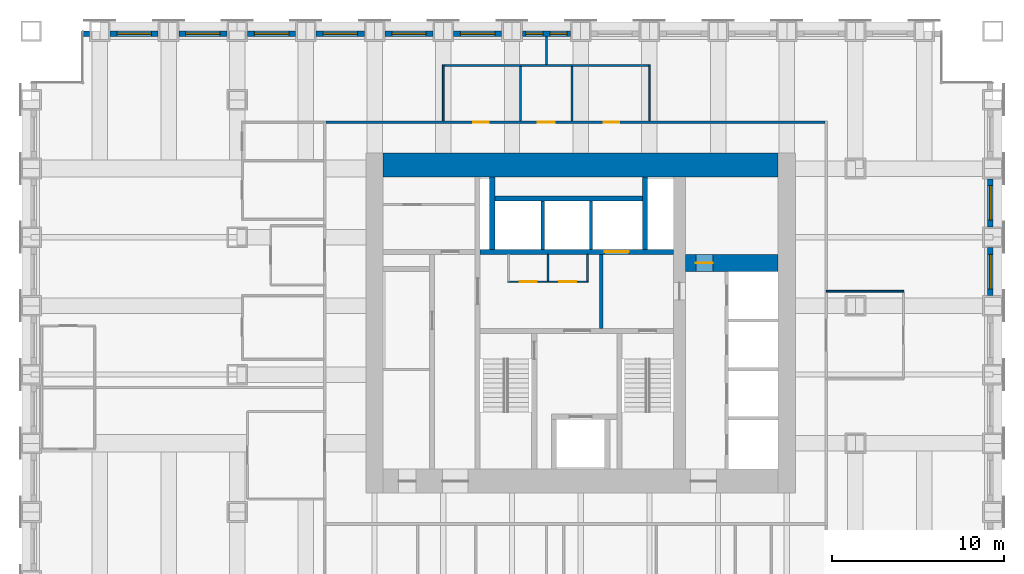
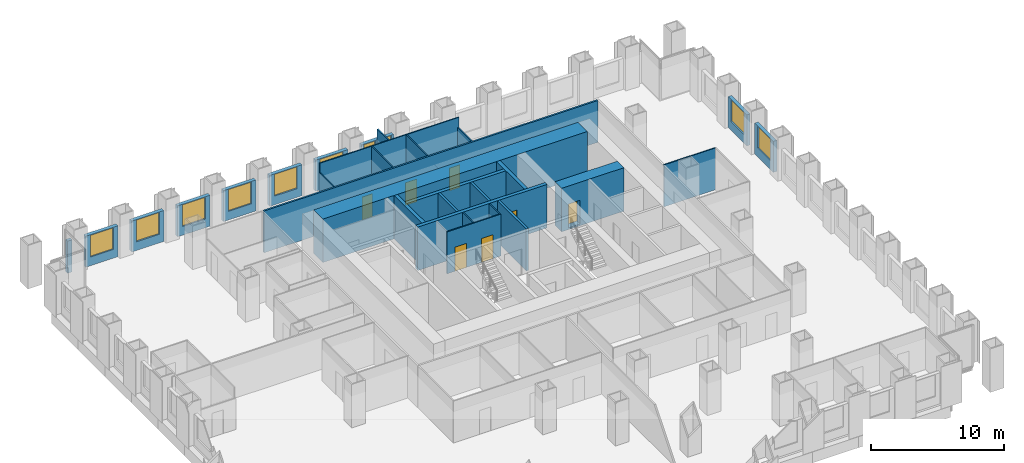
# One storey, part 12 of 15: 30 walls, 10 windows, 7 doors, 17 openings.
"""IFC4 building model written with IfcOpenShell, lengths in metres."""

from ifc_helpers import new_model, si_unit, direction, frame, frame_2d, origin, place, context, subcontext, project, spatial, rectangle, extrude, material, layer, layer_set, type_object, element, fill, save


model = new_model("IFC4")

# Units and contexts
model_context = context("Model", 3, precision=1e-05, world=origin(), true_north=direction((0.0, 1.0)))
body_context = subcontext(model_context, "Body", "Model", "MODEL_VIEW")
ifc_project = project(units=[si_unit("LENGTHUNIT", "METRE"), si_unit("AREAUNIT", "SQUARE_METRE"), si_unit("VOLUMEUNIT", "CUBIC_METRE"), si_unit("PLANEANGLEUNIT", "RADIAN"), si_unit("MASSUNIT", "GRAM", prefix="KILO")], contexts=[model_context])

# Site, building, storey
site_placement = place(None, origin())
site = spatial("IfcSite", under=ifc_project, at=site_placement, CompositionType="ELEMENT")
building_placement = place(site_placement, origin())
building = spatial("IfcBuilding", under=site, at=building_placement, Name="Rimbunsela Tower", CompositionType="ELEMENT")
storey_placement = place(building_placement, frame((0.0, 0.0, 27.0)))
storey = spatial("IfcBuildingStorey", under=building, at=storey_placement, Name="L06", CompositionType="ELEMENT", Elevation=27.0)

# Wall, opening, door
ifc_material_1 = material(Name="Concrete fc' 80 MPa", Category="concrete")
ifc_layer_1 = layer(ifc_material_1, 0.300048828125)
ifc_layer_set_1 = layer_set([ifc_layer_1], Name="Core internal wall 300")
wall_type_1 = type_object("IfcWallType", Name="Core internal wall 300", PredefinedType="SHEAR", material=ifc_layer_set_1)
wall_1_placement = place(storey_placement, frame((24.14990234375, 31.14990234375, -0.14990234375), z_axis=(0.0, 0.0, 1.0), x_axis=(1.0, 0.0, 0.0)))
wall_1 = element("IfcWall", 1, at=wall_1_placement, inside=storey, type_object=wall_type_1, Name="Lift shaft front north", PredefinedType="SHEAR", context=body_context, shape_type="SweptSolid", body=[
    extrude(rectangle(XDim=11.25, YDim=0.300048828125, at=frame_2d((5.625, 0.0))), origin(), (0.0, 0.0, 1.0), 4.0),
])
opening_1_placement = place(wall_1_placement, frame((7.25, 0.0, 0.14990234375)))
opening_1 = element("IfcOpeningElement", 2, at=opening_1_placement, cuts=wall_1, Name="Opening LD3", PredefinedType="OPENING", context=body_context, shape_type="SweptSolid", body=[
    extrude(rectangle(XDim=1.39990234375, YDim=2.39990234375, at=frame_2d((0.699951171875, 1.199951171875))), frame((0.0, 0.159912109375, 0.0), z_axis=(0.0, -1.0, 0.0), x_axis=(1.0, 0.0, 0.0)), (0.0, 0.0, 1.0), 0.320068359375),
])
ifc_material_2 = material(Name="Steel door, fire rated", Category="steel")
door_type_1 = type_object("IfcDoorType", Name="Lift landing door 1400", OperationType="DOUBLE_DOOR_SLIDING", PredefinedType="DOOR", material=ifc_material_2)
door_1_placement = place(opening_1_placement, origin())
door_1 = element("IfcDoor", 3, at=door_1_placement, inside=storey, type_object=door_type_1, Name="Lift landing door FL2", OperationType="DOUBLE_DOOR_SLIDING", OverallHeight=2.39990234375, OverallWidth=1.39990234375, PredefinedType="DOOR", context=body_context, shape_type="SweptSolid", body=[
    extrude(rectangle(XDim=1.39990234375, YDim=2.39990234375, at=frame_2d((0.699951171875, 1.199951171875))), frame((0.0, 0.02490234375, 0.0), z_axis=(0.0, -1.0, 0.0), x_axis=(1.0, 0.0, 0.0)), (0.0, 0.0, 1.0), 0.050048828125),
])
fill(opening_1, door_1)

# Walls
for number, where, z_axis, x_axis, name in (
    (4, (24.85009765625, 31.300048828125, -0.14990234375), (0.0, 0.0, 1.0), (0.0, 1.0, 0.0), "Riser wall"),
    (5, (33.75, 31.300048828125, -0.14990234375), (0.0, 0.0, 1.0), (0.0, 1.0, 0.0), "Riser wall"),
):
    element("IfcWall", number, at=place(storey_placement, frame(where, z_axis=z_axis, x_axis=x_axis)), inside=storey, type_object=wall_type_1, Name=name, PredefinedType="SHEAR", context=body_context, shape_type="SweptSolid", body=[
        extrude(rectangle(XDim=4.199951171875, YDim=0.300048828125, at=frame_2d((2.10009765625, 0.0))), origin(), (0.0, 0.0, 1.0), 4.0),
    ])
wall_2_placement = place(storey_placement, frame((25.0, 34.25, -0.14990234375), z_axis=(0.0, 0.0, 1.0), x_axis=(1.0, 0.0, 0.0)))
element("IfcWall", 6, at=wall_2_placement, inside=storey, type_object=wall_type_1, Name="Lift shaft rear north", PredefinedType="SHEAR", context=body_context, shape_type="SweptSolid", body=[
    extrude(rectangle(XDim=8.60009765625, YDim=0.300048828125, at=frame_2d((4.300048828125, 0.0))), origin(), (0.0, 0.0, 1.0), 4.0),
])

# Wall, openings, doors
ifc_material_3 = material(Name="Concrete blockwork", Category="masonry")
ifc_layer_2 = layer(ifc_material_3, 0.10009765625)
ifc_layer_set_2 = layer_set([ifc_layer_2], Name="Core room partition 100")
wall_type_2 = type_object("IfcWallType", Name="Core room partition 100", PredefinedType="PARTITIONING", material=ifc_layer_set_2)
wall_3_placement = place(storey_placement, frame((25.75, 29.39990234375, 0.0), z_axis=(0.0, 0.0, 1.0), x_axis=(1.0, 0.0, 0.0)))
wall_3 = element("IfcWall", 7, at=wall_3_placement, inside=storey, type_object=wall_type_2, Name="Lobby room wall", PredefinedType="PARTITIONING", context=body_context, shape_type="SweptSolid", body=[
    extrude(rectangle(XDim=4.699951171875, YDim=0.10009765625, at=frame_2d((2.35009765625, 0.0))), origin(), (0.0, 0.0, 1.0), 3.85009765625),
])
opening_2_placement = place(wall_3_placement, frame((0.699951171875, 0.0, 0.0)))
opening_2 = element("IfcOpeningElement", 8, at=opening_2_placement, cuts=wall_3, Name="Opening D19", PredefinedType="OPENING", context=body_context, shape_type="SweptSolid", body=[
    extrude(rectangle(XDim=1.0, YDim=2.199951171875, at=frame_2d((0.5, 1.10009765625))), frame((0.0, 0.06005859375, 0.0), z_axis=(0.0, -1.0, 0.0), x_axis=(1.0, 0.0, 0.0)), (0.0, 0.0, 1.0), 0.1201171875),
])
opening_3_placement = place(wall_3_placement, frame((3.0, 0.0, 0.0)))
opening_3 = element("IfcOpeningElement", 9, at=opening_3_placement, cuts=wall_3, Name="Opening D19", PredefinedType="OPENING", context=body_context, shape_type="SweptSolid", body=[
    extrude(rectangle(XDim=1.0, YDim=2.199951171875, at=frame_2d((0.5, 1.10009765625))), frame((0.0, 0.06005859375, 0.0), z_axis=(0.0, -1.0, 0.0), x_axis=(1.0, 0.0, 0.0)), (0.0, 0.0, 1.0), 0.1201171875),
])
ifc_material_4 = material(Name="Steel door, fire rated", Category="steel")
door_type_2 = type_object("IfcDoorType", Name="Service door 1000 fire rated", OperationType="SINGLE_SWING_LEFT", PredefinedType="DOOR", material=ifc_material_4)
door_2_placement = place(opening_2_placement, origin())
door_2 = element("IfcDoor", 10, at=door_2_placement, inside=storey, type_object=door_type_2, Name="Facilities store door", OperationType="SINGLE_SWING_LEFT", OverallHeight=2.199951171875, OverallWidth=1.0, PredefinedType="DOOR", context=body_context, shape_type="SweptSolid", body=[
    extrude(rectangle(XDim=1.0, YDim=2.199951171875, at=frame_2d((0.5, 1.10009765625))), frame((0.0, 0.02490234375, 0.0), z_axis=(0.0, -1.0, 0.0), x_axis=(1.0, 0.0, 0.0)), (0.0, 0.0, 1.0), 0.050048828125),
])
fill(opening_2, door_2)
door_3_placement = place(opening_3_placement, origin())
door_3 = element("IfcDoor", 11, at=door_3_placement, inside=storey, type_object=door_type_2, Name="IT room door", OperationType="SINGLE_SWING_LEFT", OverallHeight=2.199951171875, OverallWidth=1.0, PredefinedType="DOOR", context=body_context, shape_type="SweptSolid", body=[
    extrude(rectangle(XDim=1.0, YDim=2.199951171875, at=frame_2d((0.5, 1.10009765625))), frame((0.0, 0.02490234375, 0.0), z_axis=(0.0, -1.0, 0.0), x_axis=(1.0, 0.0, 0.0)), (0.0, 0.0, 1.0), 0.050048828125),
])
fill(opening_3, door_3)

# Walls
for number, where, z_axis, x_axis, name in (
    (12, (30.39990234375, 29.449951171875, 0.0), (0.0, 0.0, 1.0), (0.0, 1.0, 0.0), "Lobby room wall"),
    (13, (28.10009765625, 29.449951171875, 0.0), (0.0, 0.0, 1.0), (0.0, 1.0, 0.0), "Lobby room wall"),
):
    element("IfcWall", number, at=place(storey_placement, frame(where, z_axis=z_axis, x_axis=x_axis)), inside=storey, type_object=wall_type_2, Name=name, PredefinedType="PARTITIONING", context=body_context, shape_type="SweptSolid", body=[
        extrude(rectangle(XDim=1.550048828125, YDim=0.10009765625, at=frame_2d((0.77490234375, 0.0))), origin(), (0.0, 0.0, 1.0), 3.85009765625),
    ])

# Wall, opening, door
ifc_material_5 = material(Name="Concrete fc' 80 MPa", Category="concrete")
ifc_layer_3 = layer(ifc_material_5, 1.0)
ifc_layer_set_3 = layer_set([ifc_layer_3], Name="Core wall 1000")
wall_type_3 = type_object("IfcWallType", Name="Core wall 1000", PredefinedType="SHEAR", material=ifc_layer_set_3)
wall_4_placement = place(storey_placement, frame((36.10009765625, 30.5, -0.14990234375), z_axis=(0.0, 0.0, 1.0), x_axis=(1.0, 0.0, 0.0)))
wall_4 = element("IfcWall", 14, at=wall_4_placement, inside=storey, type_object=wall_type_3, Name="Lift shaft rear east", PredefinedType="SHEAR", context=body_context, shape_type="SweptSolid", body=[
    extrude(rectangle(XDim=5.39990234375, YDim=1.0, at=frame_2d((2.699951171875, 0.0))), origin(), (0.0, 0.0, 1.0), 4.0),
])
opening_4_placement = place(wall_4_placement, frame((0.60009765625, 0.0, 0.14990234375)))
opening_4 = element("IfcOpeningElement", 15, at=opening_4_placement, cuts=wall_4, Name="Opening D19", PredefinedType="OPENING", context=body_context, shape_type="SweptSolid", body=[
    extrude(rectangle(XDim=1.0, YDim=2.199951171875, at=frame_2d((0.5, 1.10009765625))), frame((0.0, 0.510009765625, 0.0), z_axis=(0.0, -1.0, 0.0), x_axis=(1.0, 0.0, 0.0)), (0.0, 0.0, 1.0), 1.02001953125),
])
door_4_placement = place(opening_4_placement, origin())
door_4 = element("IfcDoor", 16, at=door_4_placement, inside=storey, type_object=door_type_2, Name="Communications room door", OperationType="SINGLE_SWING_LEFT", OverallHeight=2.199951171875, OverallWidth=1.0, PredefinedType="DOOR", context=body_context, shape_type="SweptSolid", body=[
    extrude(rectangle(XDim=1.0, YDim=2.199951171875, at=frame_2d((0.5, 1.10009765625))), frame((0.0, 0.02490234375, 0.0), z_axis=(0.0, -1.0, 0.0), x_axis=(1.0, 0.0, 0.0)), (0.0, 0.0, 1.0), 0.050048828125),
])
fill(opening_4, door_4)

# Walls
ifc_material_6 = material(Name="Concrete fc' 80 MPa", Category="concrete")
ifc_layer_4 = layer(ifc_material_6, 1.39990234375)
ifc_layer_set_4 = layer_set([ifc_layer_4], Name="Core wall 1400")
wall_type_4 = type_object("IfcWallType", Name="Core wall 1400", PredefinedType="SHEAR", material=ifc_layer_set_4)
wall_5_placement = place(storey_placement, frame((18.5, 36.199951171875, -0.14990234375), z_axis=(0.0, 0.0, 1.0), x_axis=(1.0, 0.0, 0.0)))
element("IfcWall", 17, at=wall_5_placement, inside=storey, type_object=wall_type_4, Name="Core wall north", PredefinedType="SHEAR", context=body_context, shape_type="SweptSolid", body=[
    extrude(rectangle(XDim=23.0, YDim=1.39990234375, at=frame_2d((11.5, 0.0))), origin(), (0.0, 0.0, 1.0), 4.0),
])
ifc_material_7 = material(Name="Concrete blockwork", Category="masonry")
ifc_layer_5 = layer(ifc_material_7, 0.199951171875)
ifc_layer_set_5 = layer_set([ifc_layer_5], Name="Lift shaft wall 200")
wall_type_5 = type_object("IfcWallType", Name="Lift shaft wall 200", PredefinedType="SOLIDWALL", material=ifc_layer_set_5)
for number, where, z_axis, x_axis, name in (
    (18, (27.800048828125, 31.300048828125, -0.14990234375), (0.0, 0.0, 1.0), (0.0, 1.0, 0.0), "Lift shaft separation"),
    (19, (30.60009765625, 31.300048828125, -0.14990234375), (0.0, 0.0, 1.0), (0.0, 1.0, 0.0), "Lift shaft separation"),
):
    element("IfcWall", number, at=place(storey_placement, frame(where, z_axis=z_axis, x_axis=x_axis)), inside=storey, type_object=wall_type_5, Name=name, PredefinedType="SOLIDWALL", context=body_context, shape_type="SweptSolid", body=[
        extrude(rectangle(XDim=2.800048828125, YDim=0.199951171875, at=frame_2d((1.39990234375, 0.0))), origin(), (0.0, 0.0, 1.0), 4.0),
    ])
wall_6_placement = place(storey_placement, frame((31.199951171875, 26.699951171875, 0.0), z_axis=(0.0, 0.0, 1.0), x_axis=(0.0, 1.0, 0.0)))
element("IfcWall", 20, at=wall_6_placement, inside=storey, type_object=wall_type_5, Name="Firefighting lobby 2 wall", PredefinedType="SOLIDWALL", context=body_context, shape_type="SweptSolid", body=[
    extrude(rectangle(XDim=4.300048828125, YDim=0.199951171875, at=frame_2d((2.14990234375, 0.0))), origin(), (0.0, 0.0, 1.0), 3.85009765625),
])
ifc_material_8 = material(Name="Gypsum board on steel studs", Category="steel")
ifc_layer_6 = layer(ifc_material_8, 0.10009765625)
ifc_layer_set_6 = layer_set([ifc_layer_6], Name="Office partition 100")
wall_type_6 = type_object("IfcWallType", Name="Office partition 100", PredefinedType="PARTITIONING", material=ifc_layer_set_6)
wall_7_placement = place(storey_placement, frame((48.800048828125, 28.85009765625, 0.0), z_axis=(0.0, 0.0, 1.0), x_axis=(-1.0, 0.0, 0.0)))
element("IfcWall", 21, at=wall_7_placement, inside=storey, type_object=wall_type_6, Name="Office partition", PredefinedType="PARTITIONING", context=body_context, shape_type="SweptSolid", body=[
    extrude(rectangle(XDim=4.5, YDim=0.10009765625, at=frame_2d((2.25, 0.0))), origin(), (0.0, 0.0, 1.0), 3.85009765625),
])

# Wall, opening, window
ifc_material_9 = material(Name="Precast concrete fc' 35 MPa", Category="concrete")
ifc_layer_7 = layer(ifc_material_9, 0.300048828125)
ifc_layer_set_7 = layer_set([ifc_layer_7], Name="Precast concrete fc' 35 MPa")
wall_type_7 = type_object("IfcWallType", Name="Precast facade panel 300", PredefinedType="ELEMENTEDWALL", material=ifc_layer_set_7)
wall_8_placement = place(storey_placement, frame((53.85009765625, 28.60009765625, 0.0), z_axis=(0.0, 0.0, 1.0), x_axis=(0.0, 1.0, 0.0)))
wall_8 = element("IfcWall", 22, at=wall_8_placement, inside=storey, type_object=wall_type_7, Name="Facade panel E L06", PredefinedType="ELEMENTEDWALL", context=body_context, shape_type="SweptSolid", body=[
    extrude(rectangle(XDim=2.7998046875, YDim=0.300048828125, at=frame_2d((1.39990234375, 0.0))), origin(), (0.0, 0.0, 1.0), 2.85009765625),
])
opening_5_placement = place(wall_8_placement, frame((0.39990234375, 0.0, 0.800048828125)))
opening_5 = element("IfcOpeningElement", 23, at=opening_5_placement, cuts=wall_8, Name="Opening W1", PredefinedType="OPENING", context=body_context, shape_type="SweptSolid", body=[
    extrude(rectangle(XDim=2.0, YDim=2.0, at=frame_2d((1.0, 1.0))), frame((0.0, 0.159912109375, 0.0), z_axis=(0.0, -1.0, 0.0), x_axis=(1.0, 0.0, 0.0)), (0.0, 0.0, 1.0), 0.320068359375),
])
ifc_material_10 = material(Name="Clear glass in aluminium frame", Category="aluminium")
window_type_1 = type_object("IfcWindowType", Name="Window W1 2000x2000", PartitioningType="DOUBLE_PANEL_VERTICAL", PredefinedType="WINDOW", material=ifc_material_10)
window_1_placement = place(opening_5_placement, origin())
window_1 = element("IfcWindow", 24, at=window_1_placement, inside=storey, type_object=window_type_1, Name="Window L06", OverallHeight=2.0, OverallWidth=2.0, PartitioningType="SINGLE_PANEL", PredefinedType="WINDOW", context=body_context, shape_type="SweptSolid", body=[
    extrude(rectangle(XDim=2.0, YDim=2.0, at=frame_2d((1.0, 1.0))), frame((0.0, 0.030029296875, 0.0), z_axis=(0.0, -1.0, 0.0), x_axis=(1.0, 0.0, 0.0)), (0.0, 0.0, 1.0), 0.06005859375),
])
fill(opening_5, window_1)

wall_9_placement = place(storey_placement, frame((53.85009765625, 32.60009765625, 0.0), z_axis=(0.0, 0.0, 1.0), x_axis=(0.0, 1.0, 0.0)))
wall_9 = element("IfcWall", 25, at=wall_9_placement, inside=storey, type_object=wall_type_7, Name="Facade panel E L06", PredefinedType="ELEMENTEDWALL", context=body_context, shape_type="SweptSolid", body=[
    extrude(rectangle(XDim=2.7998046875, YDim=0.300048828125, at=frame_2d((1.39990234375, 0.0))), origin(), (0.0, 0.0, 1.0), 2.85009765625),
])
opening_6_placement = place(wall_9_placement, frame((0.39990234375, 0.0, 0.800048828125)))
opening_6 = element("IfcOpeningElement", 26, at=opening_6_placement, cuts=wall_9, Name="Opening W1", PredefinedType="OPENING", context=body_context, shape_type="SweptSolid", body=[
    extrude(rectangle(XDim=2.0, YDim=2.0, at=frame_2d((1.0, 1.0))), frame((0.0, 0.159912109375, 0.0), z_axis=(0.0, -1.0, 0.0), x_axis=(1.0, 0.0, 0.0)), (0.0, 0.0, 1.0), 0.320068359375),
])
window_2_placement = place(opening_6_placement, origin())
window_2 = element("IfcWindow", 27, at=window_2_placement, inside=storey, type_object=window_type_1, Name="Window L06", OverallHeight=2.0, OverallWidth=2.0, PartitioningType="SINGLE_PANEL", PredefinedType="WINDOW", context=body_context, shape_type="SweptSolid", body=[
    extrude(rectangle(XDim=2.0, YDim=2.0, at=frame_2d((1.0, 1.0))), frame((0.0, 0.030029296875, 0.0), z_axis=(0.0, -1.0, 0.0), x_axis=(1.0, 0.0, 0.0)), (0.0, 0.0, 1.0), 0.06005859375),
])
fill(opening_6, window_2)

# Wall
wall_10_placement = place(storey_placement, frame((1.39990234375, 43.85009765625, 0.0), z_axis=(0.0, 0.0, 1.0), x_axis=(-1.0, 0.0, 0.0)))
element("IfcWall", 28, at=wall_10_placement, inside=storey, type_object=wall_type_7, Name="Facade panel N L06", PredefinedType="ELEMENTEDWALL", context=body_context, shape_type="SweptSolid", body=[
    extrude(rectangle(XDim=0.369873046875, YDim=0.300048828125, at=frame_2d((0.18505859375, 0.0))), origin(), (0.0, 0.0, 1.0), 2.949951171875),
])

# Wall, opening, window
wall_11_placement = place(storey_placement, frame((5.39990234375, 43.85009765625, 0.0), z_axis=(0.0, 0.0, 1.0), x_axis=(-1.0, 0.0, 0.0)))
wall_11 = element("IfcWall", 29, at=wall_11_placement, inside=storey, type_object=wall_type_7, Name="Facade panel N L06", PredefinedType="ELEMENTEDWALL", context=body_context, shape_type="SweptSolid", body=[
    extrude(rectangle(XDim=2.7998046875, YDim=0.300048828125, at=frame_2d((1.39990234375, 0.0))), origin(), (0.0, 0.0, 1.0), 2.85009765625),
])
opening_7_placement = place(wall_11_placement, frame((0.39990234375, 0.0, 0.800048828125)))
opening_7 = element("IfcOpeningElement", 30, at=opening_7_placement, cuts=wall_11, Name="Opening W1", PredefinedType="OPENING", context=body_context, shape_type="SweptSolid", body=[
    extrude(rectangle(XDim=2.0, YDim=2.0, at=frame_2d((1.0, 1.0))), frame((0.0, 0.159912109375, 0.0), z_axis=(0.0, -1.0, 0.0), x_axis=(1.0, 0.0, 0.0)), (0.0, 0.0, 1.0), 0.320068359375),
])
window_3_placement = place(opening_7_placement, origin())
window_3 = element("IfcWindow", 31, at=window_3_placement, inside=storey, type_object=window_type_1, Name="Window L06", OverallHeight=2.0, OverallWidth=2.0, PartitioningType="SINGLE_PANEL", PredefinedType="WINDOW", context=body_context, shape_type="SweptSolid", body=[
    extrude(rectangle(XDim=2.0, YDim=2.0, at=frame_2d((1.0, 1.0))), frame((0.0, 0.030029296875, 0.0), z_axis=(0.0, -1.0, 0.0), x_axis=(1.0, 0.0, 0.0)), (0.0, 0.0, 1.0), 0.06005859375),
])
fill(opening_7, window_3)

wall_12_placement = place(storey_placement, frame((9.39990234375, 43.85009765625, 0.0), z_axis=(0.0, 0.0, 1.0), x_axis=(-1.0, 0.0, 0.0)))
wall_12 = element("IfcWall", 32, at=wall_12_placement, inside=storey, type_object=wall_type_7, Name="Facade panel N L06", PredefinedType="ELEMENTEDWALL", context=body_context, shape_type="SweptSolid", body=[
    extrude(rectangle(XDim=2.7998046875, YDim=0.300048828125, at=frame_2d((1.39990234375, 0.0))), origin(), (0.0, 0.0, 1.0), 2.85009765625),
])
opening_8_placement = place(wall_12_placement, frame((0.39990234375, 0.0, 0.800048828125)))
opening_8 = element("IfcOpeningElement", 33, at=opening_8_placement, cuts=wall_12, Name="Opening W1", PredefinedType="OPENING", context=body_context, shape_type="SweptSolid", body=[
    extrude(rectangle(XDim=2.0, YDim=2.0, at=frame_2d((1.0, 1.0))), frame((0.0, 0.159912109375, 0.0), z_axis=(0.0, -1.0, 0.0), x_axis=(1.0, 0.0, 0.0)), (0.0, 0.0, 1.0), 0.320068359375),
])
window_4_placement = place(opening_8_placement, origin())
window_4 = element("IfcWindow", 34, at=window_4_placement, inside=storey, type_object=window_type_1, Name="Window L06", OverallHeight=2.0, OverallWidth=2.0, PartitioningType="SINGLE_PANEL", PredefinedType="WINDOW", context=body_context, shape_type="SweptSolid", body=[
    extrude(rectangle(XDim=2.0, YDim=2.0, at=frame_2d((1.0, 1.0))), frame((0.0, 0.030029296875, 0.0), z_axis=(0.0, -1.0, 0.0), x_axis=(1.0, 0.0, 0.0)), (0.0, 0.0, 1.0), 0.06005859375),
])
fill(opening_8, window_4)

wall_13_placement = place(storey_placement, frame((13.39990234375, 43.85009765625, 0.0), z_axis=(0.0, 0.0, 1.0), x_axis=(-1.0, 0.0, 0.0)))
wall_13 = element("IfcWall", 35, at=wall_13_placement, inside=storey, type_object=wall_type_7, Name="Facade panel N L06", PredefinedType="ELEMENTEDWALL", context=body_context, shape_type="SweptSolid", body=[
    extrude(rectangle(XDim=2.7998046875, YDim=0.300048828125, at=frame_2d((1.39990234375, 0.0))), origin(), (0.0, 0.0, 1.0), 2.85009765625),
])
opening_9_placement = place(wall_13_placement, frame((0.39990234375, 0.0, 0.800048828125)))
opening_9 = element("IfcOpeningElement", 36, at=opening_9_placement, cuts=wall_13, Name="Opening W1", PredefinedType="OPENING", context=body_context, shape_type="SweptSolid", body=[
    extrude(rectangle(XDim=2.0, YDim=2.0, at=frame_2d((1.0, 1.0))), frame((0.0, 0.159912109375, 0.0), z_axis=(0.0, -1.0, 0.0), x_axis=(1.0, 0.0, 0.0)), (0.0, 0.0, 1.0), 0.320068359375),
])
window_5_placement = place(opening_9_placement, origin())
window_5 = element("IfcWindow", 37, at=window_5_placement, inside=storey, type_object=window_type_1, Name="Window L06", OverallHeight=2.0, OverallWidth=2.0, PartitioningType="SINGLE_PANEL", PredefinedType="WINDOW", context=body_context, shape_type="SweptSolid", body=[
    extrude(rectangle(XDim=2.0, YDim=2.0, at=frame_2d((1.0, 1.0))), frame((0.0, 0.030029296875, 0.0), z_axis=(0.0, -1.0, 0.0), x_axis=(1.0, 0.0, 0.0)), (0.0, 0.0, 1.0), 0.06005859375),
])
fill(opening_9, window_5)

wall_14_placement = place(storey_placement, frame((17.39990234375, 43.85009765625, 0.0), z_axis=(0.0, 0.0, 1.0), x_axis=(-1.0, 0.0, 0.0)))
wall_14 = element("IfcWall", 38, at=wall_14_placement, inside=storey, type_object=wall_type_7, Name="Facade panel N L06", PredefinedType="ELEMENTEDWALL", context=body_context, shape_type="SweptSolid", body=[
    extrude(rectangle(XDim=2.7998046875, YDim=0.300048828125, at=frame_2d((1.39990234375, 0.0))), origin(), (0.0, 0.0, 1.0), 2.85009765625),
])
opening_10_placement = place(wall_14_placement, frame((0.39990234375, 0.0, 0.800048828125)))
opening_10 = element("IfcOpeningElement", 39, at=opening_10_placement, cuts=wall_14, Name="Opening W1", PredefinedType="OPENING", context=body_context, shape_type="SweptSolid", body=[
    extrude(rectangle(XDim=2.0, YDim=2.0, at=frame_2d((1.0, 1.0))), frame((0.0, 0.159912109375, 0.0), z_axis=(0.0, -1.0, 0.0), x_axis=(1.0, 0.0, 0.0)), (0.0, 0.0, 1.0), 0.320068359375),
])
window_6_placement = place(opening_10_placement, origin())
window_6 = element("IfcWindow", 40, at=window_6_placement, inside=storey, type_object=window_type_1, Name="Window L06", OverallHeight=2.0, OverallWidth=2.0, PartitioningType="SINGLE_PANEL", PredefinedType="WINDOW", context=body_context, shape_type="SweptSolid", body=[
    extrude(rectangle(XDim=2.0, YDim=2.0, at=frame_2d((1.0, 1.0))), frame((0.0, 0.030029296875, 0.0), z_axis=(0.0, -1.0, 0.0), x_axis=(1.0, 0.0, 0.0)), (0.0, 0.0, 1.0), 0.06005859375),
])
fill(opening_10, window_6)

wall_15_placement = place(storey_placement, frame((21.39990234375, 43.85009765625, 0.0), z_axis=(0.0, 0.0, 1.0), x_axis=(-1.0, 0.0, 0.0)))
wall_15 = element("IfcWall", 41, at=wall_15_placement, inside=storey, type_object=wall_type_7, Name="Facade panel N L06", PredefinedType="ELEMENTEDWALL", context=body_context, shape_type="SweptSolid", body=[
    extrude(rectangle(XDim=2.7998046875, YDim=0.300048828125, at=frame_2d((1.39990234375, 0.0))), origin(), (0.0, 0.0, 1.0), 2.85009765625),
])
opening_11_placement = place(wall_15_placement, frame((0.39990234375, 0.0, 0.800048828125)))
opening_11 = element("IfcOpeningElement", 42, at=opening_11_placement, cuts=wall_15, Name="Opening W1", PredefinedType="OPENING", context=body_context, shape_type="SweptSolid", body=[
    extrude(rectangle(XDim=2.0, YDim=2.0, at=frame_2d((1.0, 1.0))), frame((0.0, 0.159912109375, 0.0), z_axis=(0.0, -1.0, 0.0), x_axis=(1.0, 0.0, 0.0)), (0.0, 0.0, 1.0), 0.320068359375),
])
window_7_placement = place(opening_11_placement, origin())
window_7 = element("IfcWindow", 43, at=window_7_placement, inside=storey, type_object=window_type_1, Name="Window L06", OverallHeight=2.0, OverallWidth=2.0, PartitioningType="SINGLE_PANEL", PredefinedType="WINDOW", context=body_context, shape_type="SweptSolid", body=[
    extrude(rectangle(XDim=2.0, YDim=2.0, at=frame_2d((1.0, 1.0))), frame((0.0, 0.030029296875, 0.0), z_axis=(0.0, -1.0, 0.0), x_axis=(1.0, 0.0, 0.0)), (0.0, 0.0, 1.0), 0.06005859375),
])
fill(opening_11, window_7)

wall_16_placement = place(storey_placement, frame((25.39990234375, 43.85009765625, 0.0), z_axis=(0.0, 0.0, 1.0), x_axis=(-1.0, 0.0, 0.0)))
wall_16 = element("IfcWall", 44, at=wall_16_placement, inside=storey, type_object=wall_type_7, Name="Facade panel N L06", PredefinedType="ELEMENTEDWALL", context=body_context, shape_type="SweptSolid", body=[
    extrude(rectangle(XDim=2.7998046875, YDim=0.300048828125, at=frame_2d((1.39990234375, 0.0))), origin(), (0.0, 0.0, 1.0), 2.85009765625),
])
opening_12_placement = place(wall_16_placement, frame((0.39990234375, 0.0, 0.800048828125)))
opening_12 = element("IfcOpeningElement", 45, at=opening_12_placement, cuts=wall_16, Name="Opening W1", PredefinedType="OPENING", context=body_context, shape_type="SweptSolid", body=[
    extrude(rectangle(XDim=2.0, YDim=2.0, at=frame_2d((1.0, 1.0))), frame((0.0, 0.159912109375, 0.0), z_axis=(0.0, -1.0, 0.0), x_axis=(1.0, 0.0, 0.0)), (0.0, 0.0, 1.0), 0.320068359375),
])
window_8_placement = place(opening_12_placement, origin())
window_8 = element("IfcWindow", 46, at=window_8_placement, inside=storey, type_object=window_type_1, Name="Window L06", OverallHeight=2.0, OverallWidth=2.0, PartitioningType="SINGLE_PANEL", PredefinedType="WINDOW", context=body_context, shape_type="SweptSolid", body=[
    extrude(rectangle(XDim=2.0, YDim=2.0, at=frame_2d((1.0, 1.0))), frame((0.0, 0.030029296875, 0.0), z_axis=(0.0, -1.0, 0.0), x_axis=(1.0, 0.0, 0.0)), (0.0, 0.0, 1.0), 0.06005859375),
])
fill(opening_12, window_8)

# Wall, openings, windows
wall_17_placement = place(storey_placement, frame((29.39990234375, 43.85009765625, 0.0), z_axis=(0.0, 0.0, 1.0), x_axis=(-1.0, 0.0, 0.0)))
wall_17 = element("IfcWall", 47, at=wall_17_placement, inside=storey, type_object=wall_type_7, Name="Facade panel N L06", PredefinedType="ELEMENTEDWALL", context=body_context, shape_type="SweptSolid", body=[
    extrude(rectangle(XDim=2.7998046875, YDim=0.300048828125, at=frame_2d((1.39990234375, 0.0))), origin(), (0.0, 0.0, 1.0), 2.85009765625),
])
opening_13_placement = place(wall_17_placement, frame((1.60009765625, 0.0, 0.800048828125)))
opening_13 = element("IfcOpeningElement", 48, at=opening_13_placement, cuts=wall_17, Name="Opening W5", PredefinedType="OPENING", context=body_context, shape_type="SweptSolid", body=[
    extrude(rectangle(XDim=1.0, YDim=2.0, at=frame_2d((0.5, 1.0))), frame((0.0, 0.159912109375, 0.0), z_axis=(0.0, -1.0, 0.0), x_axis=(1.0, 0.0, 0.0)), (0.0, 0.0, 1.0), 0.320068359375),
])
opening_14_placement = place(wall_17_placement, frame((0.199951171875, 0.0, 0.800048828125)))
opening_14 = element("IfcOpeningElement", 49, at=opening_14_placement, cuts=wall_17, Name="Opening W5", PredefinedType="OPENING", context=body_context, shape_type="SweptSolid", body=[
    extrude(rectangle(XDim=1.0, YDim=2.0, at=frame_2d((0.5, 1.0))), frame((0.0, 0.159912109375, 0.0), z_axis=(0.0, -1.0, 0.0), x_axis=(1.0, 0.0, 0.0)), (0.0, 0.0, 1.0), 0.320068359375),
])
ifc_material_11 = material(Name="Clear glass in aluminium frame", Category="aluminium")
window_type_2 = type_object("IfcWindowType", Name="Window W5 1000x2000", PartitioningType="SINGLE_PANEL", PredefinedType="WINDOW", material=ifc_material_11)
window_9_placement = place(opening_13_placement, origin())
window_9 = element("IfcWindow", 50, at=window_9_placement, inside=storey, type_object=window_type_2, Name="Window L06", OverallHeight=2.0, OverallWidth=1.0, PartitioningType="SINGLE_PANEL", PredefinedType="WINDOW", context=body_context, shape_type="SweptSolid", body=[
    extrude(rectangle(XDim=1.0, YDim=2.0, at=frame_2d((0.5, 1.0))), frame((0.0, 0.030029296875, 0.0), z_axis=(0.0, -1.0, 0.0), x_axis=(1.0, 0.0, 0.0)), (0.0, 0.0, 1.0), 0.06005859375),
])
fill(opening_13, window_9)
window_10_placement = place(opening_14_placement, origin())
window_10 = element("IfcWindow", 51, at=window_10_placement, inside=storey, type_object=window_type_2, Name="Window L06", OverallHeight=2.0, OverallWidth=1.0, PartitioningType="SINGLE_PANEL", PredefinedType="WINDOW", context=body_context, shape_type="SweptSolid", body=[
    extrude(rectangle(XDim=1.0, YDim=2.0, at=frame_2d((0.5, 1.0))), frame((0.0, 0.030029296875, 0.0), z_axis=(0.0, -1.0, 0.0), x_axis=(1.0, 0.0, 0.0)), (0.0, 0.0, 1.0), 0.06005859375),
])
fill(opening_14, window_10)

# Wall, openings, doors
ifc_material_12 = material(Name="Fire-rated gypsum board on steel studs, EI 60", Category="steel")
ifc_layer_8 = layer(ifc_material_12, 0.14990234375)
ifc_layer_set_8 = layer_set([ifc_layer_8], Name="Rated corridor wall 150")
wall_type_8 = type_object("IfcWallType", Name="Rated corridor wall 150", PredefinedType="PARTITIONING", material=ifc_layer_set_8)
wall_18_placement = place(storey_placement, frame((15.175048828125, 38.699951171875, 0.0), z_axis=(0.0, 0.0, 1.0), x_axis=(1.0, 0.0, 0.0)))
wall_18 = element("IfcWall", 52, at=wall_18_placement, inside=storey, type_object=wall_type_8, Name="Corridor wall north", PredefinedType="PARTITIONING", context=body_context, shape_type="SweptSolid", body=[
    extrude(rectangle(XDim=29.050048828125, YDim=0.14990234375, at=frame_2d((14.52490234375, 0.0))), origin(), (0.0, 0.0, 1.0), 3.85009765625),
])
opening_15_placement = place(wall_18_placement, frame((8.574951171875, 0.0, 0.0)))
opening_15 = element("IfcOpeningElement", 53, at=opening_15_placement, cuts=wall_18, Name="Opening D04", PredefinedType="OPENING", context=body_context, shape_type="SweptSolid", body=[
    extrude(rectangle(XDim=0.89990234375, YDim=2.10009765625, at=frame_2d((0.449951171875, 1.050048828125))), frame((0.0, 0.0849609375, 0.0), z_axis=(0.0, -1.0, 0.0), x_axis=(1.0, 0.0, 0.0)), (0.0, 0.0, 1.0), 0.169921875),
])
opening_16_placement = place(wall_18_placement, frame((12.324951171875, 0.0, 0.0)))
opening_16 = element("IfcOpeningElement", 54, at=opening_16_placement, cuts=wall_18, Name="Opening D05", PredefinedType="OPENING", context=body_context, shape_type="SweptSolid", body=[
    extrude(rectangle(XDim=1.0, YDim=2.10009765625, at=frame_2d((0.5, 1.050048828125))), frame((0.0, 0.0849609375, 0.0), z_axis=(0.0, -1.0, 0.0), x_axis=(1.0, 0.0, 0.0)), (0.0, 0.0, 1.0), 0.169921875),
])
opening_17_placement = place(wall_18_placement, frame((16.175048828125, 0.0, 0.0)))
opening_17 = element("IfcOpeningElement", 55, at=opening_17_placement, cuts=wall_18, Name="Opening D04", PredefinedType="OPENING", context=body_context, shape_type="SweptSolid", body=[
    extrude(rectangle(XDim=0.89990234375, YDim=2.10009765625, at=frame_2d((0.449951171875, 1.050048828125))), frame((0.0, 0.0849609375, 0.0), z_axis=(0.0, -1.0, 0.0), x_axis=(1.0, 0.0, 0.0)), (0.0, 0.0, 1.0), 0.169921875),
])
ifc_material_13 = material(Name="Timber door", Category="wood")
door_type_3 = type_object("IfcDoorType", Name="Accessible WC door 1000", OperationType="SLIDING_TO_LEFT", PredefinedType="DOOR", material=ifc_material_13)
door_5_placement = place(opening_16_placement, origin())
door_5 = element("IfcDoor", 56, at=door_5_placement, inside=storey, type_object=door_type_3, Name="Accessible WC door", OperationType="SLIDING_TO_LEFT", OverallHeight=2.10009765625, OverallWidth=1.0, PredefinedType="DOOR", context=body_context, shape_type="SweptSolid", body=[
    extrude(rectangle(XDim=1.0, YDim=2.10009765625, at=frame_2d((0.5, 1.050048828125))), frame((0.0, 0.02490234375, 0.0), z_axis=(0.0, -1.0, 0.0), x_axis=(1.0, 0.0, 0.0)), (0.0, 0.0, 1.0), 0.050048828125),
])
fill(opening_16, door_5)
ifc_material_14 = material(Name="Timber door", Category="wood")
door_type_4 = type_object("IfcDoorType", Name="Toilet door 900", OperationType="SINGLE_SWING_LEFT", PredefinedType="DOOR", material=ifc_material_14)
door_6_placement = place(opening_15_placement, origin())
door_6 = element("IfcDoor", 57, at=door_6_placement, inside=storey, type_object=door_type_4, Name="Female WC door", OperationType="SINGLE_SWING_LEFT", OverallHeight=2.10009765625, OverallWidth=0.89990234375, PredefinedType="DOOR", context=body_context, shape_type="SweptSolid", body=[
    extrude(rectangle(XDim=0.89990234375, YDim=2.10009765625, at=frame_2d((0.449951171875, 1.050048828125))), frame((0.0, 0.02490234375, 0.0), z_axis=(0.0, -1.0, 0.0), x_axis=(1.0, 0.0, 0.0)), (0.0, 0.0, 1.0), 0.050048828125),
])
fill(opening_15, door_6)
door_7_placement = place(opening_17_placement, origin())
door_7 = element("IfcDoor", 58, at=door_7_placement, inside=storey, type_object=door_type_4, Name="Male WC door", OperationType="SINGLE_SWING_LEFT", OverallHeight=2.10009765625, OverallWidth=0.89990234375, PredefinedType="DOOR", context=body_context, shape_type="SweptSolid", body=[
    extrude(rectangle(XDim=0.89990234375, YDim=2.10009765625, at=frame_2d((0.449951171875, 1.050048828125))), frame((0.0, 0.02490234375, 0.0), z_axis=(0.0, -1.0, 0.0), x_axis=(1.0, 0.0, 0.0)), (0.0, 0.0, 1.0), 0.050048828125),
])
fill(opening_17, door_7)

# Walls
ifc_material_15 = material(Name="Gypsum board on steel studs", Category="steel")
ifc_layer_9 = layer(ifc_material_15, 0.1201171875)
ifc_layer_set_9 = layer_set([ifc_layer_9], Name="Tenancy partition 120")
wall_type_9 = type_object("IfcWallType", Name="Tenancy partition 120", PredefinedType="PARTITIONING", material=ifc_layer_set_9)
wall_19_placement = place(storey_placement, frame((28.0, 42.050048828125, 0.0), z_axis=(0.0, 0.0, 1.0), x_axis=(0.0, 1.0, 0.0)))
element("IfcWall", 59, at=wall_19_placement, inside=storey, type_object=wall_type_9, Name="Tenancy partition north", PredefinedType="PARTITIONING", context=body_context, shape_type="SweptSolid", body=[
    extrude(rectangle(XDim=1.64990234375, YDim=0.1201171875, at=frame_2d((0.824951171875, 0.0))), origin(), (0.0, 0.0, 1.0), 3.85009765625),
])
ifc_material_16 = material(Name="Concrete blockwork", Category="masonry")
ifc_layer_10 = layer(ifc_material_16, 0.10009765625)
ifc_layer_set_10 = layer_set([ifc_layer_10], Name="Toilet partition 100")
wall_type_10 = type_object("IfcWallType", Name="Toilet partition 100", PredefinedType="PARTITIONING", material=ifc_layer_set_10)
for number, where, z_axis, x_axis, name in (
    (60, (22.0, 38.77490234375, 0.0), (0.0, 0.0, 1.0), (0.0, 1.0, 0.0), "Toilet block wall west"),
    (61, (34.0, 38.77490234375, 0.0), (0.0, 0.0, 1.0), (0.0, 1.0, 0.0), "Toilet block wall east"),
):
    element("IfcWall", number, at=place(storey_placement, frame(where, z_axis=z_axis, x_axis=x_axis)), inside=storey, type_object=wall_type_10, Name=name, PredefinedType="PARTITIONING", context=body_context, shape_type="SweptSolid", body=[
        extrude(rectangle(XDim=3.275146484375, YDim=0.10009765625, at=frame_2d((1.6376953125, 0.0))), origin(), (0.0, 0.0, 1.0), 2.949951171875),
    ])
wall_20_placement = place(storey_placement, frame((21.949951171875, 42.0, 0.0), z_axis=(0.0, 0.0, 1.0), x_axis=(1.0, 0.0, 0.0)))
element("IfcWall", 62, at=wall_20_placement, inside=storey, type_object=wall_type_10, Name="Toilet block wall north", PredefinedType="PARTITIONING", context=body_context, shape_type="SweptSolid", body=[
    extrude(rectangle(XDim=12.10009765625, YDim=0.10009765625, at=frame_2d((6.050048828125, 0.0))), origin(), (0.0, 0.0, 1.0), 3.85009765625),
])
for number, where, z_axis, x_axis, name in (
    (63, (26.5, 38.77490234375, 0.0), (0.0, 0.0, 1.0), (0.0, 1.0, 0.0), "Toilet partition"),
    (64, (29.5, 38.77490234375, 0.0), (0.0, 0.0, 1.0), (0.0, 1.0, 0.0), "Toilet partition"),
):
    element("IfcWall", number, at=place(storey_placement, frame(where, z_axis=z_axis, x_axis=x_axis)), inside=storey, type_object=wall_type_10, Name=name, PredefinedType="PARTITIONING", context=body_context, shape_type="SweptSolid", body=[
        extrude(rectangle(XDim=3.175048828125, YDim=0.10009765625, at=frame_2d((1.58740234375, 0.0))), origin(), (0.0, 0.0, 1.0), 3.85009765625),
    ])

save(model, "model.ifc")
